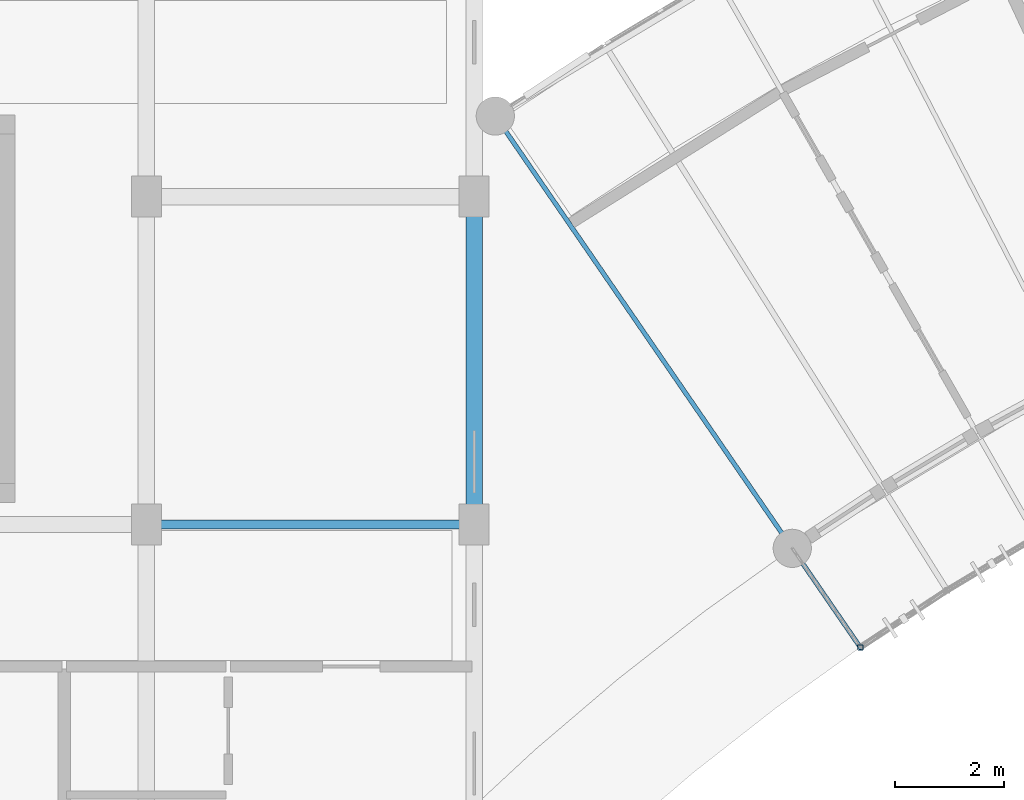
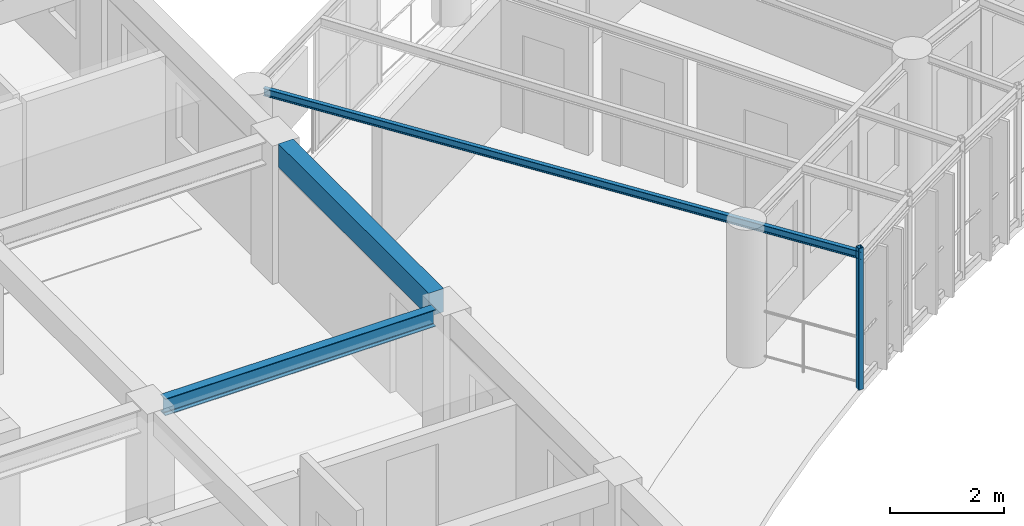
# One storey, part 25 of 100: 3 beams, 1 member.
"""IFC4 building model written with IfcOpenShell, lengths in metres."""

import ifcopenshell
import ifcopenshell.guid

model = None  # the IFC model being written
_history = None  # IfcOwnerHistory: only IFC2X3 demands one
_inside = {}  # id of a spatial element -> (the spatial element, [elements in it])
_under = {}  # id of a project, library or spatial element -> (it, [spatial elements below it])
_declared = {}  # id of a project -> (the project, [libraries it declares])
_typed = {}  # id of a type object -> (the type object, [elements of that type])
_made_of = {}  # id of a material, layer set ... -> (it, [elements and type objects made of it])


def new_model(schema):
    """Start an empty IFC model of exactly this schema.

    Asked for "IFC4X3", IfcOpenShell would pick the latest addendum, in which some entities
    have other attributes; the version numbers below select the first issue.
    IFC2X3 requires an IfcOwnerHistory on every rooted entity: one is made here for all.
    """
    global model, _history
    if schema == "IFC4X3":
        model = ifcopenshell.file(schema_version=(4, 3, 0, 0))
    else:
        model = ifcopenshell.file(schema=schema)
    _inside.clear()
    _under.clear()
    _declared.clear()
    _typed.clear()
    _made_of.clear()
    _history = None
    if model.schema == "IFC2X3":
        org = make("IfcOrganization", Name="unknown")
        user = make(
            "IfcPersonAndOrganization",
            ThePerson=make("IfcPerson", FamilyName="unknown"),
            TheOrganization=org,
        )
        app = make(
            "IfcApplication",
            ApplicationDeveloper=org,
            Version="unknown",
            ApplicationFullName="unknown",
            ApplicationIdentifier="unknown",
        )
        _history = make(
            "IfcOwnerHistory",
            OwningUser=user,
            OwningApplication=app,
            ChangeAction="ADDED",
            CreationDate=0,
        )
    return model


def make(cls, **values):
    """One entity of the class cls with the attributes given. An attribute that is None is left unset."""
    return model.create_entity(
        cls, **{name: value for name, value in values.items() if value is not None}
    )


def rooted(cls, **values):
    """An entity with a GlobalId (a new one), such as an element, a storey or a relation."""
    return make(cls, GlobalId=ifcopenshell.guid.new(), OwnerHistory=_history, **values)


def si_unit(unit_type, name, prefix=None):
    """IfcSIUnit, for example si_unit("LENGTHUNIT", "METRE", prefix="MILLI")."""
    return make("IfcSIUnit", UnitType=unit_type, Prefix=prefix, Name=name)


def assignment(units):
    """IfcUnitAssignment: the units of a project."""
    return None if units is None else make("IfcUnitAssignment", Units=units)


def point(xyz):
    """IfcCartesianPoint."""
    return None if xyz is None else make("IfcCartesianPoint", Coordinates=xyz)


def direction(xyz):
    """IfcDirection."""
    return None if xyz is None else make("IfcDirection", DirectionRatios=xyz)


def frame(location, z_axis=None, x_axis=None):
    """IfcAxis2Placement3D, a coordinate frame: its origin and axes. An axis left out is left unset."""
    return make(
        "IfcAxis2Placement3D",
        Location=point(location),
        Axis=direction(z_axis),
        RefDirection=direction(x_axis),
    )


def frame_2d(location, x_axis=None):
    """IfcAxis2Placement2D, a coordinate frame in the plane: its origin and x axis."""
    return make(
        "IfcAxis2Placement2D", Location=point(location), RefDirection=direction(x_axis)
    )


def origin():
    """The frame at (0, 0, 0) with its axes left unset."""
    return frame((0.0, 0.0, 0.0))


def origin_2d():
    """The frame at (0, 0) in the plane with its x axis left unset."""
    return frame_2d((0.0, 0.0))


def place(relative_to, where):
    """IfcLocalPlacement: puts the frame where relative to a parent placement (None: the world)."""
    return make(
        "IfcLocalPlacement", PlacementRelTo=relative_to, RelativePlacement=where
    )


def context(
    kind, dimensions, precision=None, world=None, true_north=None, identifier=None
):
    """IfcGeometricRepresentationContext, for example the 3D "Model" context."""
    return make(
        "IfcGeometricRepresentationContext",
        ContextIdentifier=identifier,
        ContextType=kind,
        CoordinateSpaceDimension=dimensions,
        Precision=precision,
        WorldCoordinateSystem=world,
        TrueNorth=true_north,
    )


def subcontext(parent, identifier, kind, view, scale=None):
    """IfcGeometricRepresentationSubContext, for example "Body" below "Model"."""
    return make(
        "IfcGeometricRepresentationSubContext",
        ContextIdentifier=identifier,
        ContextType=kind,
        ParentContext=parent,
        TargetScale=scale,
        TargetView=view,
    )


def project(units=None, contexts=None):
    """IfcProject with its units and contexts."""
    return rooted(
        "IfcProject",
        Name="project",
        RepresentationContexts=contexts,
        UnitsInContext=assignment(units),
    )


def spatial(cls, under=None, at=None, **own):
    """A site, building, storey or space (cls), placed at a placement, below another one or the project."""
    s = rooted(cls, ObjectPlacement=at, **own)
    if under is not None:
        _under.setdefault(under.id(), (under, []))[1].append(s)
    return s


def profile(cls, at=None, kind="AREA", **sizes):
    """A parametric profile (cls). Its sizes go by their IFC names, for example OverallWidth=200.0."""
    return make(cls, ProfileType=kind, Position=at, **sizes)


def rectangle(**sizes):
    """IfcRectangleProfileDef."""
    return profile("IfcRectangleProfileDef", **sizes)


def hollow_rectangle(**sizes):
    """IfcRectangleHollowProfileDef."""
    return profile("IfcRectangleHollowProfileDef", **sizes)


def i_section(**sizes):
    """IfcIShapeProfileDef."""
    return profile("IfcIShapeProfileDef", **sizes)


def extrude(swept, where, along, depth):
    """IfcExtrudedAreaSolid: the profile swept, set in the frame where, extruded along a direction by depth."""
    return make(
        "IfcExtrudedAreaSolid",
        SweptArea=swept,
        Position=where,
        ExtrudedDirection=direction(along),
        Depth=depth,
    )


def shape(context_of_items, identifier, shape_type, items):
    """IfcShapeRepresentation: the items that make up one representation, for example the "Body"."""
    return make(
        "IfcShapeRepresentation",
        ContextOfItems=context_of_items,
        RepresentationIdentifier=identifier,
        RepresentationType=shape_type,
        Items=items,
    )


def material(Name=None, Category=None):
    """IfcMaterial."""
    return make("IfcMaterial", Name=Name, Category=Category)


def material_profile(
    of_material, cross_section, Name=None, Category=None, Priority=None
):
    """IfcMaterialProfile: a cross section and its material."""
    return make(
        "IfcMaterialProfile",
        Name=Name,
        Material=of_material,
        Profile=cross_section,
        Priority=Priority,
        Category=Category,
    )


def profile_set(profiles, Name=None, composite=None):
    """IfcMaterialProfileSet."""
    return make(
        "IfcMaterialProfileSet",
        Name=Name,
        MaterialProfiles=profiles,
        CompositeProfile=composite,
    )


def made_of(thing, what):
    """Note that an element or type object is made of a material, layer set ...; save() writes the relation."""
    if what is not None:
        _made_of.setdefault(what.id(), (what, []))[1].append(thing)
    return thing


def type_object(cls, material=None, **own):
    """A type object (cls), such as IfcWallType, which elements share."""
    return made_of(rooted(cls, **own), material)


def element(
    cls,
    number,
    at=None,
    inside=None,
    cuts=None,
    type_object=None,
    material=None,
    context=None,
    identifier="Body",
    shape_type=None,
    held_by="IfcProductDefinitionShape",
    body=None,
    shapes=None,
    **own,
):
    """One element of the class cls, such as IfcWall. Its Tag is "e" and its number.

    at: its placement. inside: the storey or other place that contains it. cuts: it is an
    opening in that element (IfcRelVoidsElement). A single representation is given by context,
    identifier, shape_type and body (its items); several are given by shapes. held_by: the class
    of the entity that holds the representations. save() writes the other relations.
    """
    e = rooted(cls, Tag="e%d" % number, ObjectPlacement=at, **own)
    if body is not None:
        shapes = [shape(context, identifier, shape_type, body)]
    if shapes is not None:
        e.Representation = make(held_by, Representations=shapes)
    if inside is not None:
        _inside.setdefault(inside.id(), (inside, []))[1].append(e)
    if cuts is not None:
        rooted(
            "IfcRelVoidsElement", RelatingBuildingElement=cuts, RelatedOpeningElement=e
        )
    if type_object is not None:
        _typed.setdefault(type_object.id(), (type_object, []))[1].append(e)
    return made_of(e, material)


def aggregate(whole, parts):
    """IfcRelAggregates: a whole, such as a stair, and the parts it consists of."""
    return rooted("IfcRelAggregates", RelatingObject=whole, RelatedObjects=parts)


def save(model, path):
    """Write the relations noted so far, then the file.

    IfcRelAggregates (storeys below a building ...), IfcRelContainedInSpatialStructure (elements
    in a storey), IfcRelDefinesByType, IfcRelAssociatesMaterial and IfcRelDeclares: one each for
    every whole, place, type object, material and project.
    """
    for whole, parts in _under.values():
        aggregate(whole, parts)
    for where, things in _inside.values():
        rooted(
            "IfcRelContainedInSpatialStructure",
            RelatedElements=things,
            RelatingStructure=where,
        )
    for kind, things in _typed.values():
        rooted("IfcRelDefinesByType", RelatedObjects=things, RelatingType=kind)
    for what, things in _made_of.values():
        rooted("IfcRelAssociatesMaterial", RelatedObjects=things, RelatingMaterial=what)
    for by, libraries in _declared.values():
        rooted("IfcRelDeclares", RelatingContext=by, RelatedDefinitions=libraries)
    model.write(path)


model = new_model("IFC4")

# Units and contexts
model_context = context("Model", 3, precision=1e-05, world=origin(), true_north=direction((0.0, 1.0)))
body_context = subcontext(model_context, "Body", "Model", "MODEL_VIEW")
ifc_project = project(units=[si_unit("LENGTHUNIT", "METRE"), si_unit("AREAUNIT", "SQUARE_METRE"), si_unit("VOLUMEUNIT", "CUBIC_METRE"), si_unit("PLANEANGLEUNIT", "RADIAN"), si_unit("MASSUNIT", "GRAM", prefix="KILO"), si_unit("POWERUNIT", "WATT"), si_unit("THERMODYNAMICTEMPERATUREUNIT", "KELVIN")], contexts=[model_context])

# Site, building, storey
site_placement = place(None, origin())
site = spatial("IfcSite", under=ifc_project, at=site_placement, CompositionType="ELEMENT")
building_placement = place(site_placement, origin())
building = spatial("IfcBuilding", under=site, at=building_placement, Name="Ruvembo Vaulted Housing Court", CompositionType="ELEMENT")
storey_placement = place(building_placement, frame((0.0, 0.0, 10.89990234375)))
storey = spatial("IfcBuildingStorey", under=building, at=storey_placement, Name="L03", CompositionType="ELEMENT", Elevation=10.89990234375)

# Beams
ifc_material_1 = material(Name="Steel S355J2", Category="steel")
ifc_material_profile_1 = material_profile(ifc_material_1, i_section(OverallWidth=0.08203125, OverallDepth=0.159912109375, WebThickness=0.0048828125, FlangeThickness=0.00732421875, FilletRadius=0.009033203125, at=origin_2d()), Name="IPE 160")
ifc_profile_set_1 = profile_set([ifc_material_profile_1], Name="Steel S355J2")
beam_type_1 = type_object("IfcBeamType", Name="BM-ST-IPE160", PredefinedType="JOIST", material=ifc_profile_set_1)
beam_1_placement = place(storey_placement, frame((84.516357421875, 97.287841796875, 2.860107421875), z_axis=(0.566205714572, -0.824263967905, 0.0), x_axis=(0.824263967905, 0.566205714572, 0.0)))
element("IfcBeam", 1, at=beam_1_placement, inside=storey, type_object=beam_type_1, Name="Scoop SC3 L03 Radial Steel Joist 0", PredefinedType="JOIST", context=body_context, shape_type="SweptSolid", body=[
    extrude(i_section(OverallWidth=0.08203125, OverallDepth=0.159912109375, WebThickness=0.0048828125, FlangeThickness=0.00732421875, FilletRadius=0.009033203125, at=origin_2d()), origin(), (0.0, 0.0, 1.0), 11.610107421875),
])
ifc_material_profile_2 = material_profile(ifc_material_1, i_section(OverallWidth=0.169921875, OverallDepth=0.360107421875, WebThickness=0.008056640625, FlangeThickness=0.0126953125, FilletRadius=0.01806640625, at=origin_2d()), Name="IPE 360")
ifc_profile_set_2 = profile_set([ifc_material_profile_2], Name="Steel S355J2")
beam_type_2 = type_object("IfcBeamType", Name="BM-ST-IPE360", PredefinedType="BEAM", material=ifc_profile_set_2)
beam_2_placement = place(storey_placement, frame((78.260009765625, 90.0, 2.74609375), z_axis=(1.0, 0.0, 0.0), x_axis=(0.0, 1.0, 0.0)))
element("IfcBeam", 2, at=beam_2_placement, inside=storey, type_object=beam_type_2, Name="L03 Grid Beam X #1818", PredefinedType="BEAM", context=body_context, shape_type="SweptSolid", body=[
    extrude(i_section(OverallWidth=0.169921875, OverallDepth=0.360107421875, WebThickness=0.008056640625, FlangeThickness=0.0126953125, FilletRadius=0.01806640625, at=origin_2d()), origin(), (0.0, 0.0, 1.0), 5.47998046875),
])

# Member
ifc_material_profile_3 = material_profile(ifc_material_1, hollow_rectangle(XDim=0.10009765625, YDim=0.10009765625, WallThickness=0.00634765625, InnerFilletRadius=0.00634765625, OuterFilletRadius=0.0126953125, at=origin_2d()), Name="SHS 100x100x6.3")
ifc_profile_set_3 = profile_set([ifc_material_profile_3], Name="Steel S355J2")
member_type = type_object("IfcMemberType", Name="MEM-FRM-SHS100", PredefinedType="STRUT", material=ifc_profile_set_3)
member_placement = place(storey_placement, frame((91.0673828125, 87.751220703125, -0.014892578125), z_axis=(0.0, 0.0, 1.0), x_axis=(1.0, 0.0, 0.0)))
element("IfcMember", 3, at=member_placement, inside=storey, type_object=member_type, Name="Scoop SC3 L03 Louvre Frame Post 0", PredefinedType="STRUT", context=body_context, shape_type="SweptSolid", body=[
    extrude(hollow_rectangle(XDim=0.10009765625, YDim=0.10009765625, WallThickness=0.00634765625, InnerFilletRadius=0.00634765625, OuterFilletRadius=0.0126953125, at=origin_2d()), origin(), (0.0, 0.0, 1.0), 3.032958984375),
])

# Beam
ifc_material_2 = material(Name="Concrete C35/45", Category="concrete")
ifc_material_profile_4 = material_profile(ifc_material_2, rectangle(XDim=0.300048828125, YDim=0.5, at=origin_2d()), Name="RC 300x500")
ifc_profile_set_4 = profile_set([ifc_material_profile_4], Name="Concrete C35/45")
beam_type_3 = type_object("IfcBeamType", Name="SP-RC-300x500", PredefinedType="SPANDREL", material=ifc_profile_set_4)
beam_3_placement = place(storey_placement, frame((84.0, 90.360107421875, 2.710205078125), z_axis=(0.0, 1.0, 0.0), x_axis=(-1.0, 0.0, 0.0)))
element("IfcBeam", 4, at=beam_3_placement, inside=storey, type_object=beam_type_3, Name="L03 Grid Beam Y #1923", PredefinedType="SPANDREL", context=body_context, shape_type="SweptSolid", body=[
    extrude(rectangle(XDim=0.300048828125, YDim=0.5, at=origin_2d()), origin(), (0.0, 0.0, 1.0), 5.27978515625),
])

save(model, "model.ifc")
